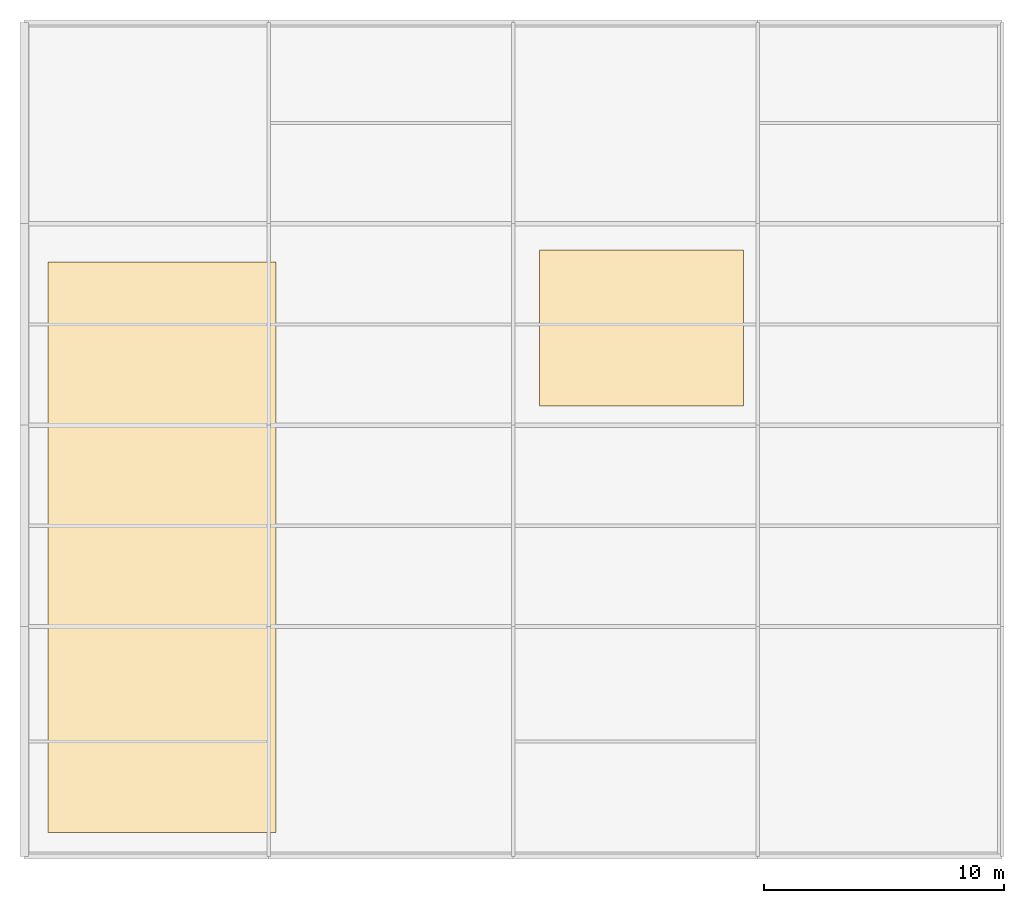
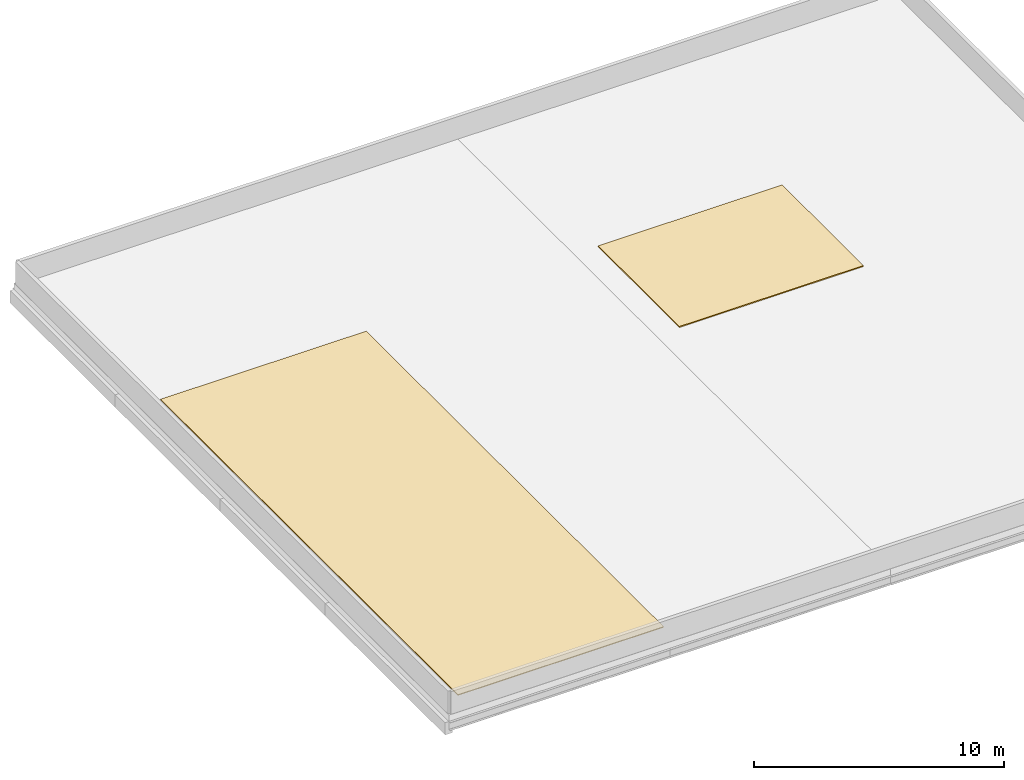
# One storey, part 2 of 2: 2 coverings.
"""IFC4 building model written with IfcOpenShell, lengths in metres."""

from ifc_helpers import new_model, si_unit, direction, frame, origin, place, context, subcontext, project, spatial, polyline, outline, extrude, material, layer, layer_set, type_object, element, save


model = new_model("IFC4")

# Units and contexts
model_context = context("Model", 3, precision=1e-05, world=origin(), true_north=direction((0.0, 1.0)))
body_context = subcontext(model_context, "Body", "Model", "MODEL_VIEW")
ifc_project = project(units=[si_unit("LENGTHUNIT", "METRE"), si_unit("AREAUNIT", "SQUARE_METRE"), si_unit("VOLUMEUNIT", "CUBIC_METRE"), si_unit("PLANEANGLEUNIT", "RADIAN"), si_unit("MASSUNIT", "GRAM", prefix="KILO")], contexts=[model_context])

# Site, building, storey
site_placement = place(None, origin())
site = spatial("IfcSite", under=ifc_project, at=site_placement, CompositionType="ELEMENT")
building_placement = place(site_placement, origin())
building = spatial("IfcBuilding", under=site, at=building_placement, Name="Brelvane Convention Centre", CompositionType="ELEMENT")
storey_placement = place(building_placement, frame((0.0, 0.0, 27.60009765625)))
storey = spatial("IfcBuildingStorey", under=building, at=storey_placement, Name="RF", CompositionType="ELEMENT", Elevation=27.60009765625)

# Coverings
ifc_material_1 = material(Name="Patinated Copper-Bronze Alloy C22000")
ifc_layer_1 = layer(ifc_material_1, 0.0400390625)
ifc_layer_set_1 = layer_set([ifc_layer_1], Name="Patinated Copper-Bronze Alloy C22000")
covering_type_1 = type_object("IfcCoveringType", Name="Envelope Covering RF-SS1", PredefinedType="ROOFING", material=ifc_layer_set_1)
covering_1_placement = place(storey_placement, origin())
element("IfcCovering", 1, at=covering_1_placement, inside=storey, type_object=covering_type_1, Name="Standing-Seam Copper Roof Covering RF-REARW", PredefinedType="ROOFING", context=body_context, shape_type="SweptSolid", body=[
    extrude(outline(polyline([(1.0, 110.199951171875), (10.5, 110.199951171875), (10.5, 134.0), (1.0, 134.0), (1.0, 110.199951171875)])), origin(), (0.0, 0.0, 1.0), 0.039794921875),
])
ifc_material_2 = material(Name="Patinated Copper-Bronze Alloy C22000")
ifc_layer_2 = layer(ifc_material_2, 0.052001953125)
ifc_layer_set_2 = layer_set([ifc_layer_2], Name="Patinated Copper-Bronze Alloy C22000")
covering_type_2 = type_object("IfcCoveringType", Name="Envelope Covering RF-SS2", PredefinedType="ROOFING", material=ifc_layer_set_2)
covering_2_placement = place(storey_placement, origin())
element("IfcCovering", 2, at=covering_2_placement, inside=storey, type_object=covering_type_2, Name="Standing-Seam Copper Roof Covering RF-REARE", PredefinedType="ROOFING", context=body_context, shape_type="SweptSolid", body=[
    extrude(outline(polyline([(21.5, 128.0), (30.0, 128.0), (30.0, 134.5), (21.5, 134.5), (21.5, 128.0)])), origin(), (0.0, 0.0, 1.0), 0.052001953125),
])

save(model, "model.ifc")
